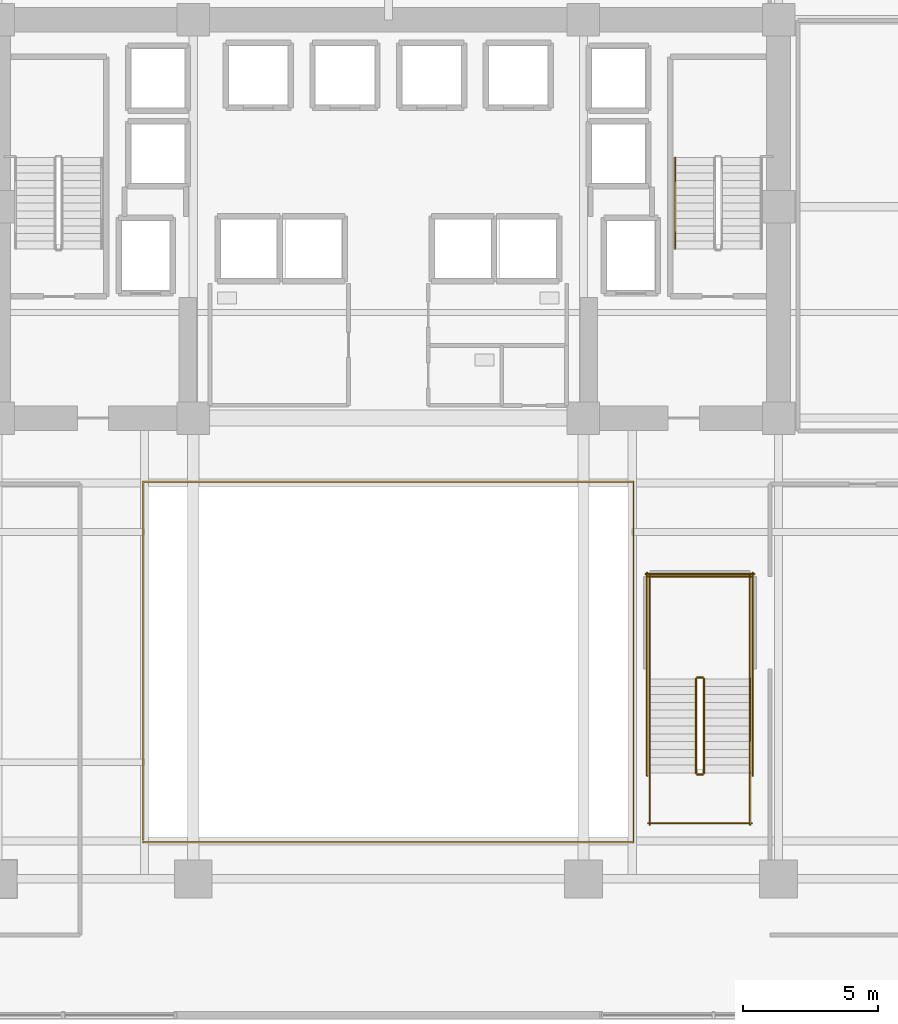
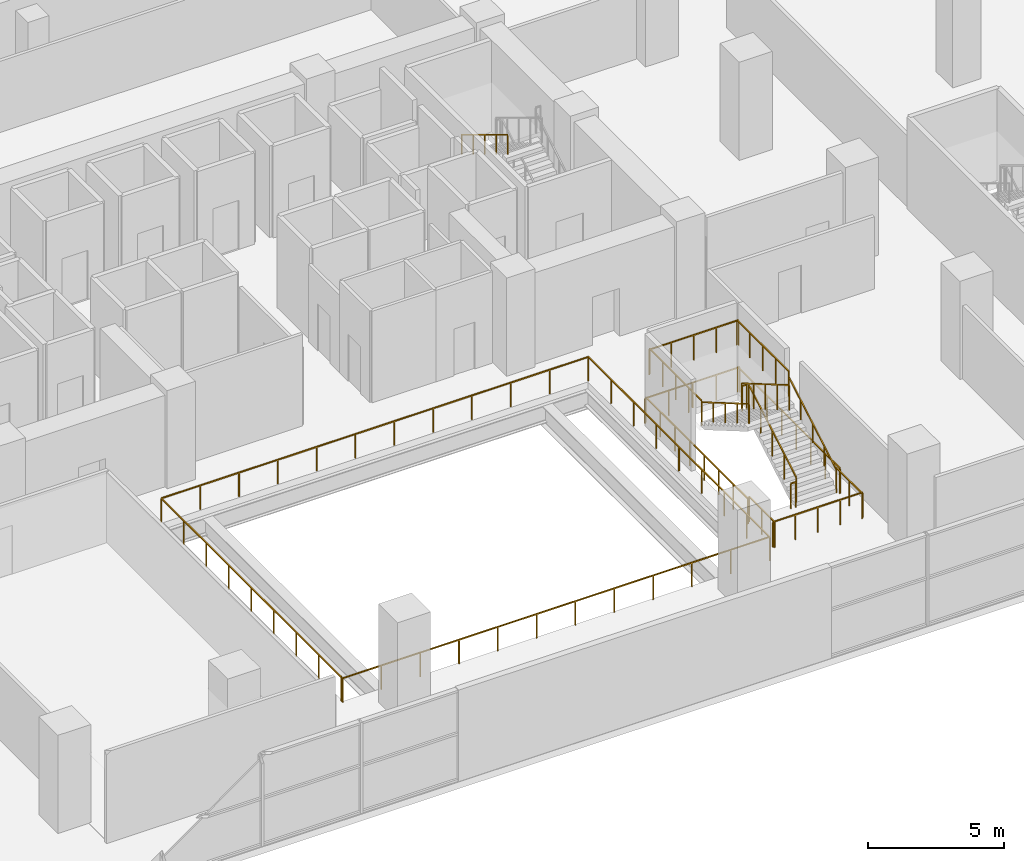
# One storey, part 19 of 21: 17 railings.
"""IFC4 building model written with IfcOpenShell, lengths in metres."""

from ifc_helpers import new_model, si_unit, direction, frame, origin, origin_2d, place, context, subcontext, project, spatial, rectangle, extrude, material, type_object, element, save


model = new_model("IFC4")

# Units and contexts
model_context = context("Model", 3, precision=1e-05, world=origin(), true_north=direction((0.0, 1.0)))
body_context = subcontext(model_context, "Body", "Model", "MODEL_VIEW")
ifc_project = project(units=[si_unit("LENGTHUNIT", "METRE"), si_unit("AREAUNIT", "SQUARE_METRE"), si_unit("VOLUMEUNIT", "CUBIC_METRE"), si_unit("PLANEANGLEUNIT", "RADIAN"), si_unit("MASSUNIT", "GRAM", prefix="KILO")], contexts=[model_context])

# Site, building, storey
site_placement = place(None, origin())
site = spatial("IfcSite", under=ifc_project, at=site_placement, CompositionType="ELEMENT")
building_placement = place(site_placement, origin())
building = spatial("IfcBuilding", under=site, at=building_placement, Name="Zarnakvel Exchange Tower", CompositionType="ELEMENT")
storey_placement = place(building_placement, frame((0.0, 0.0, 18.199951171875)))
storey = spatial("IfcBuildingStorey", under=building, at=storey_placement, Name="L04", CompositionType="ELEMENT", Elevation=18.199951171875)

# Railings
ifc_material_1 = material(Name="Architectural Bronze Anodised Aluminium", Category="aluminium")
railing_type_1 = type_object("IfcRailingType", Name="GR-03", PredefinedType="GUARDRAIL", material=ifc_material_1)
railing_1_placement = place(storey_placement, frame((-9.050048828125, -16.85009765625, 0.0)))
element("IfcRailing", 1, at=railing_1_placement, inside=storey, type_object=railing_type_1, Name="L04 Atrium Void Perimeter Balustrade", PredefinedType="GUARDRAIL", context=body_context, shape_type="SweptSolid", body=[
    extrude(rectangle(XDim=0.048095703125, YDim=0.048095703125, at=origin_2d()), frame((0.0, 0.0, 1.076171875), z_axis=(1.0, 0.0, 0.0), x_axis=(0.0, 1.0, 0.0)), (0.0, 0.0, 1.0), 18.10009765625),
    extrude(rectangle(XDim=0.048095703125, YDim=0.048095703125, at=origin_2d()), frame((18.10009765625, 0.0, 1.076171875), z_axis=(0.0, 1.0, 0.0), x_axis=(-1.0, 0.0, 0.0)), (0.0, 0.0, 1.0), 13.300048828125),
    extrude(rectangle(XDim=0.048095703125, YDim=0.048095703125, at=origin_2d()), frame((18.10009765625, 13.300048828125, 1.076171875), z_axis=(-1.0, 0.0, 0.0), x_axis=(0.0, -1.0, 0.0)), (0.0, 0.0, 1.0), 18.10009765625),
    extrude(rectangle(XDim=0.048095703125, YDim=0.048095703125, at=origin_2d()), frame((0.0, 13.300048828125, 1.076171875), z_axis=(0.0, -1.0, 0.0), x_axis=(1.0, 0.0, 0.0)), (0.0, 0.0, 1.0), 13.219970703125),
    extrude(rectangle(XDim=0.0419921875, YDim=0.0419921875, at=origin_2d()), origin(), (0.0, 0.0, 1.0), 1.052001953125),
    extrude(rectangle(XDim=0.0419921875, YDim=0.0419921875, at=origin_2d()), frame((1.6455078125, 0.0, 0.0)), (0.0, 0.0, 1.0), 1.052001953125),
    extrude(rectangle(XDim=0.0419921875, YDim=0.0419921875, at=origin_2d()), frame((3.291015625, 0.0, 0.0)), (0.0, 0.0, 1.0), 1.052001953125),
    extrude(rectangle(XDim=0.0419921875, YDim=0.0419921875, at=origin_2d()), frame((4.936279296875, 0.0, 0.0)), (0.0, 0.0, 1.0), 1.052001953125),
    extrude(rectangle(XDim=0.0419921875, YDim=0.0419921875, at=origin_2d()), frame((6.581787109375, 0.0, 0.0)), (0.0, 0.0, 1.0), 1.052001953125),
    extrude(rectangle(XDim=0.0419921875, YDim=0.0419921875, at=origin_2d()), frame((8.227294921875, 0.0, 0.0)), (0.0, 0.0, 1.0), 1.052001953125),
    extrude(rectangle(XDim=0.0419921875, YDim=0.0419921875, at=origin_2d()), frame((9.872802734375, 0.0, 0.0)), (0.0, 0.0, 1.0), 1.052001953125),
    extrude(rectangle(XDim=0.0419921875, YDim=0.0419921875, at=origin_2d()), frame((11.518310546875, 0.0, 0.0)), (0.0, 0.0, 1.0), 1.052001953125),
    extrude(rectangle(XDim=0.0419921875, YDim=0.0419921875, at=origin_2d()), frame((13.163818359375, 0.0, 0.0)), (0.0, 0.0, 1.0), 1.052001953125),
    extrude(rectangle(XDim=0.0419921875, YDim=0.0419921875, at=origin_2d()), frame((14.80908203125, 0.0, 0.0)), (0.0, 0.0, 1.0), 1.052001953125),
    extrude(rectangle(XDim=0.0419921875, YDim=0.0419921875, at=origin_2d()), frame((16.45458984375, 0.0, 0.0)), (0.0, 0.0, 1.0), 1.052001953125),
    extrude(rectangle(XDim=0.0419921875, YDim=0.0419921875, at=origin_2d()), frame((18.10009765625, 0.0, 0.0)), (0.0, 0.0, 1.0), 1.052001953125),
    extrude(rectangle(XDim=0.0419921875, YDim=0.0419921875, at=origin_2d()), frame((18.10009765625, 1.66259765625, 0.0)), (0.0, 0.0, 1.0), 1.052001953125),
    extrude(rectangle(XDim=0.0419921875, YDim=0.0419921875, at=origin_2d()), frame((18.10009765625, 3.324951171875, 0.0)), (0.0, 0.0, 1.0), 1.052001953125),
    extrude(rectangle(XDim=0.0419921875, YDim=0.0419921875, at=origin_2d()), frame((18.10009765625, 4.987548828125, 0.0)), (0.0, 0.0, 1.0), 1.052001953125),
    extrude(rectangle(XDim=0.0419921875, YDim=0.0419921875, at=origin_2d()), frame((18.10009765625, 6.64990234375, 0.0)), (0.0, 0.0, 1.0), 1.052001953125),
    extrude(rectangle(XDim=0.0419921875, YDim=0.0419921875, at=origin_2d()), frame((18.10009765625, 8.3125, 0.0)), (0.0, 0.0, 1.0), 1.052001953125),
    extrude(rectangle(XDim=0.0419921875, YDim=0.0419921875, at=origin_2d()), frame((18.10009765625, 9.97509765625, 0.0)), (0.0, 0.0, 1.0), 1.052001953125),
    extrude(rectangle(XDim=0.0419921875, YDim=0.0419921875, at=origin_2d()), frame((18.10009765625, 11.637451171875, 0.0)), (0.0, 0.0, 1.0), 1.052001953125),
    extrude(rectangle(XDim=0.0419921875, YDim=0.0419921875, at=origin_2d()), frame((18.10009765625, 13.300048828125, 0.0)), (0.0, 0.0, 1.0), 1.052001953125),
    extrude(rectangle(XDim=0.0419921875, YDim=0.0419921875, at=origin_2d()), frame((16.45458984375, 13.300048828125, 0.0)), (0.0, 0.0, 1.0), 1.052001953125),
    extrude(rectangle(XDim=0.0419921875, YDim=0.0419921875, at=origin_2d()), frame((14.80908203125, 13.300048828125, 0.0)), (0.0, 0.0, 1.0), 1.052001953125),
    extrude(rectangle(XDim=0.0419921875, YDim=0.0419921875, at=origin_2d()), frame((13.163818359375, 13.300048828125, 0.0)), (0.0, 0.0, 1.0), 1.052001953125),
    extrude(rectangle(XDim=0.0419921875, YDim=0.0419921875, at=origin_2d()), frame((11.518310546875, 13.300048828125, 0.0)), (0.0, 0.0, 1.0), 1.052001953125),
    extrude(rectangle(XDim=0.0419921875, YDim=0.0419921875, at=origin_2d()), frame((9.872802734375, 13.300048828125, 0.0)), (0.0, 0.0, 1.0), 1.052001953125),
    extrude(rectangle(XDim=0.0419921875, YDim=0.0419921875, at=origin_2d()), frame((8.227294921875, 13.300048828125, 0.0)), (0.0, 0.0, 1.0), 1.052001953125),
    extrude(rectangle(XDim=0.0419921875, YDim=0.0419921875, at=origin_2d()), frame((6.581787109375, 13.300048828125, 0.0)), (0.0, 0.0, 1.0), 1.052001953125),
    extrude(rectangle(XDim=0.0419921875, YDim=0.0419921875, at=origin_2d()), frame((4.936279296875, 13.300048828125, 0.0)), (0.0, 0.0, 1.0), 1.052001953125),
    extrude(rectangle(XDim=0.0419921875, YDim=0.0419921875, at=origin_2d()), frame((3.291015625, 13.300048828125, 0.0)), (0.0, 0.0, 1.0), 1.052001953125),
    extrude(rectangle(XDim=0.0419921875, YDim=0.0419921875, at=origin_2d()), frame((1.6455078125, 13.300048828125, 0.0)), (0.0, 0.0, 1.0), 1.052001953125),
    extrude(rectangle(XDim=0.0419921875, YDim=0.0419921875, at=origin_2d()), frame((0.0, 13.300048828125, 0.0)), (0.0, 0.0, 1.0), 1.052001953125),
    extrude(rectangle(XDim=0.0419921875, YDim=0.0419921875, at=origin_2d()), frame((0.0, 11.6474609375, 0.0)), (0.0, 0.0, 1.0), 1.052001953125),
    extrude(rectangle(XDim=0.0419921875, YDim=0.0419921875, at=origin_2d()), frame((0.0, 9.9951171875, 0.0)), (0.0, 0.0, 1.0), 1.052001953125),
    extrude(rectangle(XDim=0.0419921875, YDim=0.0419921875, at=origin_2d()), frame((0.0, 8.342529296875, 0.0)), (0.0, 0.0, 1.0), 1.052001953125),
    extrude(rectangle(XDim=0.0419921875, YDim=0.0419921875, at=origin_2d()), frame((0.0, 6.68994140625, 0.0)), (0.0, 0.0, 1.0), 1.052001953125),
    extrude(rectangle(XDim=0.0419921875, YDim=0.0419921875, at=origin_2d()), frame((0.0, 5.03759765625, 0.0)), (0.0, 0.0, 1.0), 1.052001953125),
    extrude(rectangle(XDim=0.0419921875, YDim=0.0419921875, at=origin_2d()), frame((0.0, 3.385009765625, 0.0)), (0.0, 0.0, 1.0), 1.052001953125),
    extrude(rectangle(XDim=0.0419921875, YDim=0.0419921875, at=origin_2d()), frame((0.0, 1.732666015625, 0.0)), (0.0, 0.0, 1.0), 1.052001953125),
    extrude(rectangle(XDim=0.0419921875, YDim=0.0419921875, at=origin_2d()), frame((0.0, 0.080078125, 0.0)), (0.0, 0.0, 1.0), 1.052001953125),
])
ifc_material_2 = material(Name="Brushed Stainless Steel", Category="steel")
railing_type_2 = type_object("IfcRailingType", Name="HR-01", PredefinedType="HANDRAIL", material=ifc_material_2)
railing_2_placement = place(storey_placement, frame((10.590087890625, 8.409912109375, 2.369384765625)))
element("IfcRailing", 2, at=railing_2_placement, inside=storey, type_object=railing_type_2, Name="L04 ST-02 stair handrail 2", PredefinedType="HANDRAIL", context=body_context, shape_type="SweptSolid", body=[
    extrude(rectangle(XDim=0.048095703125, YDim=0.048095703125, at=origin_2d()), frame((0.0, 0.0, 0.8759765625), z_axis=(0.0, -0.855820338506, 0.51727318527), x_axis=(1.0, 0.0, 0.0)), (0.0, 0.0, 1.0), 3.92578125),
    extrude(rectangle(XDim=0.0419921875, YDim=0.0419921875, at=origin_2d()), origin(), (0.0, 0.0, 1.0), 0.851806640625),
    extrude(rectangle(XDim=0.0419921875, YDim=0.0419921875, at=origin_2d()), frame((0.0, -0.83984375, 0.5078125)), (0.0, 0.0, 1.0), 0.851806640625),
    extrude(rectangle(XDim=0.0419921875, YDim=0.0419921875, at=origin_2d()), frame((0.0, -1.679931640625, 1.015380859375)), (0.0, 0.0, 1.0), 0.851806640625),
    extrude(rectangle(XDim=0.0419921875, YDim=0.0419921875, at=origin_2d()), frame((0.0, -2.52001953125, 1.52294921875)), (0.0, 0.0, 1.0), 0.851806640625),
    extrude(rectangle(XDim=0.0419921875, YDim=0.0419921875, at=origin_2d()), frame((0.0, -3.35986328125, 2.03076171875)), (0.0, 0.0, 1.0), 0.851806640625),
])
railing_3_placement = place(storey_placement, frame((13.35009765625, -14.300048828125, 0.169189453125)))
element("IfcRailing", 3, at=railing_3_placement, inside=storey, type_object=railing_type_2, Name="L04 ST-06 stair handrail 1", PredefinedType="HANDRAIL", context=body_context, shape_type="SweptSolid", body=[
    extrude(rectangle(XDim=0.048095703125, YDim=0.048095703125, at=origin_2d()), frame((0.0, 0.0, 0.8759765625), z_axis=(0.0, 0.863695377172, 0.504014181796), x_axis=(-1.0, 0.0, 0.0)), (0.0, 0.0, 1.0), 4.029296875),
    extrude(rectangle(XDim=0.0419921875, YDim=0.0419921875, at=origin_2d()), origin(), (0.0, 0.0, 1.0), 0.851806640625),
    extrude(rectangle(XDim=0.0419921875, YDim=0.0419921875, at=origin_2d()), frame((0.0, 0.8701171875, 0.5078125)), (0.0, 0.0, 1.0), 0.851806640625),
    extrude(rectangle(XDim=0.0419921875, YDim=0.0419921875, at=origin_2d()), frame((0.0, 1.739990234375, 1.015380859375)), (0.0, 0.0, 1.0), 0.851806640625),
    extrude(rectangle(XDim=0.0419921875, YDim=0.0419921875, at=origin_2d()), frame((0.0, 2.60986328125, 1.52294921875)), (0.0, 0.0, 1.0), 0.851806640625),
    extrude(rectangle(XDim=0.0419921875, YDim=0.0419921875, at=origin_2d()), frame((0.0, 3.47998046875, 2.03076171875)), (0.0, 0.0, 1.0), 0.851806640625),
])
railing_4_placement = place(storey_placement, frame((9.64990234375, -10.820068359375, 2.369384765625)))
element("IfcRailing", 4, at=railing_4_placement, inside=storey, type_object=railing_type_2, Name="L04 ST-06 stair handrail 2", PredefinedType="HANDRAIL", context=body_context, shape_type="SweptSolid", body=[
    extrude(rectangle(XDim=0.048095703125, YDim=0.048095703125, at=origin_2d()), frame((0.0, 0.0, 0.8759765625), z_axis=(0.0, -0.863695377172, 0.504014181796), x_axis=(1.0, 0.0, 0.0)), (0.0, 0.0, 1.0), 4.029296875),
    extrude(rectangle(XDim=0.0419921875, YDim=0.0419921875, at=origin_2d()), origin(), (0.0, 0.0, 1.0), 0.851806640625),
    extrude(rectangle(XDim=0.0419921875, YDim=0.0419921875, at=origin_2d()), frame((0.0, -0.8701171875, 0.5078125)), (0.0, 0.0, 1.0), 0.851806640625),
    extrude(rectangle(XDim=0.0419921875, YDim=0.0419921875, at=origin_2d()), frame((0.0, -1.739990234375, 1.015380859375)), (0.0, 0.0, 1.0), 0.851806640625),
    extrude(rectangle(XDim=0.0419921875, YDim=0.0419921875, at=origin_2d()), frame((0.0, -2.60986328125, 1.52294921875)), (0.0, 0.0, 1.0), 0.851806640625),
    extrude(rectangle(XDim=0.0419921875, YDim=0.0419921875, at=origin_2d()), frame((0.0, -3.47998046875, 2.03076171875)), (0.0, 0.0, 1.0), 0.851806640625),
])
railing_type_3 = type_object("IfcRailingType", Name="SG-01", PredefinedType="GUARDRAIL", material=ifc_material_1)
railing_5_placement = place(storey_placement, frame((11.64990234375, -14.300048828125, 0.169189453125)))
element("IfcRailing", 5, at=railing_5_placement, inside=storey, type_object=railing_type_3, Name="L04 ST-06 stair guard 1", PredefinedType="GUARDRAIL", context=body_context, shape_type="SweptSolid", body=[
    extrude(rectangle(XDim=0.048095703125, YDim=0.048095703125, at=origin_2d()), frame((0.0, 0.0, 1.1259765625), z_axis=(0.0, 0.863695377172, 0.504014181796), x_axis=(-1.0, 0.0, 0.0)), (0.0, 0.0, 1.0), 4.029296875),
    extrude(rectangle(XDim=0.0419921875, YDim=0.0419921875, at=origin_2d()), origin(), (0.0, 0.0, 1.0), 1.101806640625),
    extrude(rectangle(XDim=0.0419921875, YDim=0.0419921875, at=origin_2d()), frame((0.0, 0.8701171875, 0.5078125)), (0.0, 0.0, 1.0), 1.101806640625),
    extrude(rectangle(XDim=0.0419921875, YDim=0.0419921875, at=origin_2d()), frame((0.0, 1.739990234375, 1.015380859375)), (0.0, 0.0, 1.0), 1.101806640625),
    extrude(rectangle(XDim=0.0419921875, YDim=0.0419921875, at=origin_2d()), frame((0.0, 2.60986328125, 1.52294921875)), (0.0, 0.0, 1.0), 1.101806640625),
    extrude(rectangle(XDim=0.0419921875, YDim=0.0419921875, at=origin_2d()), frame((0.0, 3.47998046875, 2.03076171875)), (0.0, 0.0, 1.0), 1.101806640625),
])
railing_6_placement = place(storey_placement, frame((11.60009765625, -10.77001953125, 2.199951171875)))
element("IfcRailing", 6, at=railing_6_placement, inside=storey, type_object=railing_type_3, Name="L04 ST-06 stair guard 2", PredefinedType="GUARDRAIL", context=body_context, shape_type="SweptSolid", body=[
    extrude(rectangle(XDim=0.048095703125, YDim=0.048095703125, at=origin_2d()), frame((0.0, 0.0, 1.1259765625), z_axis=(-1.0, 0.0, 0.0), x_axis=(0.0, -1.0, 0.0)), (0.0, 0.0, 1.0), 0.2001953125),
    extrude(rectangle(XDim=0.0419921875, YDim=0.0419921875, at=origin_2d()), origin(), (0.0, 0.0, 1.0), 1.101806640625),
    extrude(rectangle(XDim=0.0419921875, YDim=0.0419921875, at=origin_2d()), frame((-0.2001953125, 0.0, 0.0)), (0.0, 0.0, 1.0), 1.101806640625),
])
for number, where, name in (
    (7, (13.35009765625, -10.820068359375, 2.199951171875), "L04 ST-06 stair guard 3"),
    (8, (9.64990234375, -10.820068359375, 2.199951171875), "L04 ST-06 stair guard 4"),
):
    element("IfcRailing", number, at=place(storey_placement, frame(where)), inside=storey, type_object=railing_type_3, Name=name, PredefinedType="GUARDRAIL", context=body_context, shape_type="SweptSolid", body=[
        extrude(rectangle(XDim=0.048095703125, YDim=0.048095703125, at=origin_2d()), frame((0.0, 0.0, 1.1259765625), z_axis=(0.0, 1.0, 0.0), x_axis=(-1.0, 0.0, 0.0)), (0.0, 0.0, 1.0), 3.820068359375),
        extrude(rectangle(XDim=0.0419921875, YDim=0.0419921875, at=origin_2d()), origin(), (0.0, 0.0, 1.0), 1.101806640625),
        extrude(rectangle(XDim=0.0419921875, YDim=0.0419921875, at=origin_2d()), frame((0.0, 0.955078125, 0.0)), (0.0, 0.0, 1.0), 1.101806640625),
        extrude(rectangle(XDim=0.0419921875, YDim=0.0419921875, at=origin_2d()), frame((0.0, 1.91015625, 0.0)), (0.0, 0.0, 1.0), 1.101806640625),
        extrude(rectangle(XDim=0.0419921875, YDim=0.0419921875, at=origin_2d()), frame((0.0, 2.864990234375, 0.0)), (0.0, 0.0, 1.0), 1.101806640625),
        extrude(rectangle(XDim=0.0419921875, YDim=0.0419921875, at=origin_2d()), frame((0.0, 3.820068359375, 0.0)), (0.0, 0.0, 1.0), 1.101806640625),
    ])
railing_7_placement = place(storey_placement, frame((13.39990234375, -7.050048828125, 2.199951171875)))
element("IfcRailing", 9, at=railing_7_placement, inside=storey, type_object=railing_type_3, Name="L04 ST-06 stair guard 5", PredefinedType="GUARDRAIL", context=body_context, shape_type="SweptSolid", body=[
    extrude(rectangle(XDim=0.048095703125, YDim=0.048095703125, at=origin_2d()), frame((0.0, 0.0, 1.1259765625), z_axis=(-1.0, 0.0, 0.0), x_axis=(0.0, -1.0, 0.0)), (0.0, 0.0, 1.0), 3.7998046875),
    extrude(rectangle(XDim=0.0419921875, YDim=0.0419921875, at=origin_2d()), origin(), (0.0, 0.0, 1.0), 1.101806640625),
    extrude(rectangle(XDim=0.0419921875, YDim=0.0419921875, at=origin_2d()), frame((-0.949951171875, 0.0, 0.0)), (0.0, 0.0, 1.0), 1.101806640625),
    extrude(rectangle(XDim=0.0419921875, YDim=0.0419921875, at=origin_2d()), frame((-1.89990234375, 0.0, 0.0)), (0.0, 0.0, 1.0), 1.101806640625),
    extrude(rectangle(XDim=0.0419921875, YDim=0.0419921875, at=origin_2d()), frame((-2.849853515625, 0.0, 0.0)), (0.0, 0.0, 1.0), 1.101806640625),
    extrude(rectangle(XDim=0.0419921875, YDim=0.0419921875, at=origin_2d()), frame((-3.7998046875, 0.0, 0.0)), (0.0, 0.0, 1.0), 1.101806640625),
])
railing_8_placement = place(storey_placement, frame((11.35009765625, -10.820068359375, 2.369384765625)))
element("IfcRailing", 10, at=railing_8_placement, inside=storey, type_object=railing_type_3, Name="L04 ST-06 stair guard 6", PredefinedType="GUARDRAIL", context=body_context, shape_type="SweptSolid", body=[
    extrude(rectangle(XDim=0.048095703125, YDim=0.048095703125, at=origin_2d()), frame((0.0, 0.0, 1.1259765625), z_axis=(0.0, -0.863695377172, 0.504014181796), x_axis=(1.0, 0.0, 0.0)), (0.0, 0.0, 1.0), 4.029296875),
    extrude(rectangle(XDim=0.0419921875, YDim=0.0419921875, at=origin_2d()), origin(), (0.0, 0.0, 1.0), 1.101806640625),
    extrude(rectangle(XDim=0.0419921875, YDim=0.0419921875, at=origin_2d()), frame((0.0, -0.8701171875, 0.5078125)), (0.0, 0.0, 1.0), 1.101806640625),
    extrude(rectangle(XDim=0.0419921875, YDim=0.0419921875, at=origin_2d()), frame((0.0, -1.739990234375, 1.015380859375)), (0.0, 0.0, 1.0), 1.101806640625),
    extrude(rectangle(XDim=0.0419921875, YDim=0.0419921875, at=origin_2d()), frame((0.0, -2.60986328125, 1.52294921875)), (0.0, 0.0, 1.0), 1.101806640625),
    extrude(rectangle(XDim=0.0419921875, YDim=0.0419921875, at=origin_2d()), frame((0.0, -3.47998046875, 2.03076171875)), (0.0, 0.0, 1.0), 1.101806640625),
])
railing_9_placement = place(storey_placement, frame((11.60009765625, -14.35009765625, 0.0)))
element("IfcRailing", 11, at=railing_9_placement, inside=storey, type_object=railing_type_3, Name="L04 ST-06 stair guard 7", PredefinedType="GUARDRAIL", context=body_context, shape_type="SweptSolid", body=[
    extrude(rectangle(XDim=0.048095703125, YDim=0.048095703125, at=origin_2d()), frame((0.0, 0.0, 1.1259765625), z_axis=(-1.0, 0.0, 0.0), x_axis=(0.0, -1.0, 0.0)), (0.0, 0.0, 1.0), 0.2001953125),
    extrude(rectangle(XDim=0.0419921875, YDim=0.0419921875, at=origin_2d()), origin(), (0.0, 0.0, 1.0), 1.101806640625),
    extrude(rectangle(XDim=0.0419921875, YDim=0.0419921875, at=origin_2d()), frame((-0.2001953125, 0.0, 0.0)), (0.0, 0.0, 1.0), 1.101806640625),
])
for number, where, name in (
    (12, (13.35009765625, -16.199951171875, 0.0), "L04 ST-06 stair guard 8"),
    (13, (9.64990234375, -16.199951171875, 0.0), "L04 ST-06 stair guard 9"),
):
    element("IfcRailing", number, at=place(storey_placement, frame(where)), inside=storey, type_object=railing_type_3, Name=name, PredefinedType="GUARDRAIL", context=body_context, shape_type="SweptSolid", body=[
        extrude(rectangle(XDim=0.048095703125, YDim=0.048095703125, at=origin_2d()), frame((0.0, 0.0, 1.1259765625), z_axis=(0.0, 1.0, 0.0), x_axis=(-1.0, 0.0, 0.0)), (0.0, 0.0, 1.0), 1.89990234375),
        extrude(rectangle(XDim=0.0419921875, YDim=0.0419921875, at=origin_2d()), origin(), (0.0, 0.0, 1.0), 1.101806640625),
        extrude(rectangle(XDim=0.0419921875, YDim=0.0419921875, at=origin_2d()), frame((0.0, 0.949951171875, 0.0)), (0.0, 0.0, 1.0), 1.101806640625),
        extrude(rectangle(XDim=0.0419921875, YDim=0.0419921875, at=origin_2d()), frame((0.0, 1.89990234375, 0.0)), (0.0, 0.0, 1.0), 1.101806640625),
    ])
railing_10_placement = place(storey_placement, frame((13.39990234375, -16.14990234375, 0.0)))
element("IfcRailing", 14, at=railing_10_placement, inside=storey, type_object=railing_type_3, Name="L04 ST-06 stair guard 10", PredefinedType="GUARDRAIL", context=body_context, shape_type="SweptSolid", body=[
    extrude(rectangle(XDim=0.048095703125, YDim=0.048095703125, at=origin_2d()), frame((0.0, 0.0, 1.1259765625), z_axis=(-1.0, 0.0, 0.0), x_axis=(0.0, -1.0, 0.0)), (0.0, 0.0, 1.0), 3.7998046875),
    extrude(rectangle(XDim=0.0419921875, YDim=0.0419921875, at=origin_2d()), origin(), (0.0, 0.0, 1.0), 1.101806640625),
    extrude(rectangle(XDim=0.0419921875, YDim=0.0419921875, at=origin_2d()), frame((-0.949951171875, 0.0, 0.0)), (0.0, 0.0, 1.0), 1.101806640625),
    extrude(rectangle(XDim=0.0419921875, YDim=0.0419921875, at=origin_2d()), frame((-1.89990234375, 0.0, 0.0)), (0.0, 0.0, 1.0), 1.101806640625),
    extrude(rectangle(XDim=0.0419921875, YDim=0.0419921875, at=origin_2d()), frame((-2.849853515625, 0.0, 0.0)), (0.0, 0.0, 1.0), 1.101806640625),
    extrude(rectangle(XDim=0.0419921875, YDim=0.0419921875, at=origin_2d()), frame((-3.7998046875, 0.0, 0.0)), (0.0, 0.0, 1.0), 1.101806640625),
])
for number, where, name in (
    (15, (13.449951171875, -14.39990234375, 0.0), "L04 ST-06 stair guard 11"),
    (16, (9.550048828125, -14.39990234375, 0.0), "L04 ST-06 stair guard 12"),
):
    element("IfcRailing", number, at=place(storey_placement, frame(where)), inside=storey, type_object=railing_type_3, Name=name, PredefinedType="GUARDRAIL", context=body_context, shape_type="SweptSolid", body=[
        extrude(rectangle(XDim=0.048095703125, YDim=0.048095703125, at=origin_2d()), frame((0.0, 0.0, 1.1259765625), z_axis=(0.0, 1.0, 0.0), x_axis=(-1.0, 0.0, 0.0)), (0.0, 0.0, 1.0), 7.5),
        extrude(rectangle(XDim=0.0419921875, YDim=0.0419921875, at=origin_2d()), origin(), (0.0, 0.0, 1.0), 1.101806640625),
        extrude(rectangle(XDim=0.0419921875, YDim=0.0419921875, at=origin_2d()), frame((0.0, 1.071533203125, 0.0)), (0.0, 0.0, 1.0), 1.101806640625),
        extrude(rectangle(XDim=0.0419921875, YDim=0.0419921875, at=origin_2d()), frame((0.0, 2.142822265625, 0.0)), (0.0, 0.0, 1.0), 1.101806640625),
        extrude(rectangle(XDim=0.0419921875, YDim=0.0419921875, at=origin_2d()), frame((0.0, 3.21435546875, 0.0)), (0.0, 0.0, 1.0), 1.101806640625),
        extrude(rectangle(XDim=0.0419921875, YDim=0.0419921875, at=origin_2d()), frame((0.0, 4.28564453125, 0.0)), (0.0, 0.0, 1.0), 1.101806640625),
        extrude(rectangle(XDim=0.0419921875, YDim=0.0419921875, at=origin_2d()), frame((0.0, 5.357177734375, 0.0)), (0.0, 0.0, 1.0), 1.101806640625),
        extrude(rectangle(XDim=0.0419921875, YDim=0.0419921875, at=origin_2d()), frame((0.0, 6.428466796875, 0.0)), (0.0, 0.0, 1.0), 1.101806640625),
        extrude(rectangle(XDim=0.0419921875, YDim=0.0419921875, at=origin_2d()), frame((0.0, 7.5, 0.0)), (0.0, 0.0, 1.0), 1.101806640625),
    ])
railing_11_placement = place(storey_placement, frame((13.5, -6.949951171875, 0.0)))
element("IfcRailing", 17, at=railing_11_placement, inside=storey, type_object=railing_type_3, Name="L04 ST-06 stair guard 13", PredefinedType="GUARDRAIL", context=body_context, shape_type="SweptSolid", body=[
    extrude(rectangle(XDim=0.048095703125, YDim=0.048095703125, at=origin_2d()), frame((0.0, 0.0, 1.1259765625), z_axis=(-1.0, 0.0, 0.0), x_axis=(0.0, -1.0, 0.0)), (0.0, 0.0, 1.0), 4.0),
    extrude(rectangle(XDim=0.0419921875, YDim=0.0419921875, at=origin_2d()), origin(), (0.0, 0.0, 1.0), 1.101806640625),
    extrude(rectangle(XDim=0.0419921875, YDim=0.0419921875, at=origin_2d()), frame((-1.0, 0.0, 0.0)), (0.0, 0.0, 1.0), 1.101806640625),
    extrude(rectangle(XDim=0.0419921875, YDim=0.0419921875, at=origin_2d()), frame((-2.0, 0.0, 0.0)), (0.0, 0.0, 1.0), 1.101806640625),
    extrude(rectangle(XDim=0.0419921875, YDim=0.0419921875, at=origin_2d()), frame((-3.0, 0.0, 0.0)), (0.0, 0.0, 1.0), 1.101806640625),
    extrude(rectangle(XDim=0.0419921875, YDim=0.0419921875, at=origin_2d()), frame((-4.0, 0.0, 0.0)), (0.0, 0.0, 1.0), 1.101806640625),
])

save(model, "model.ifc")
